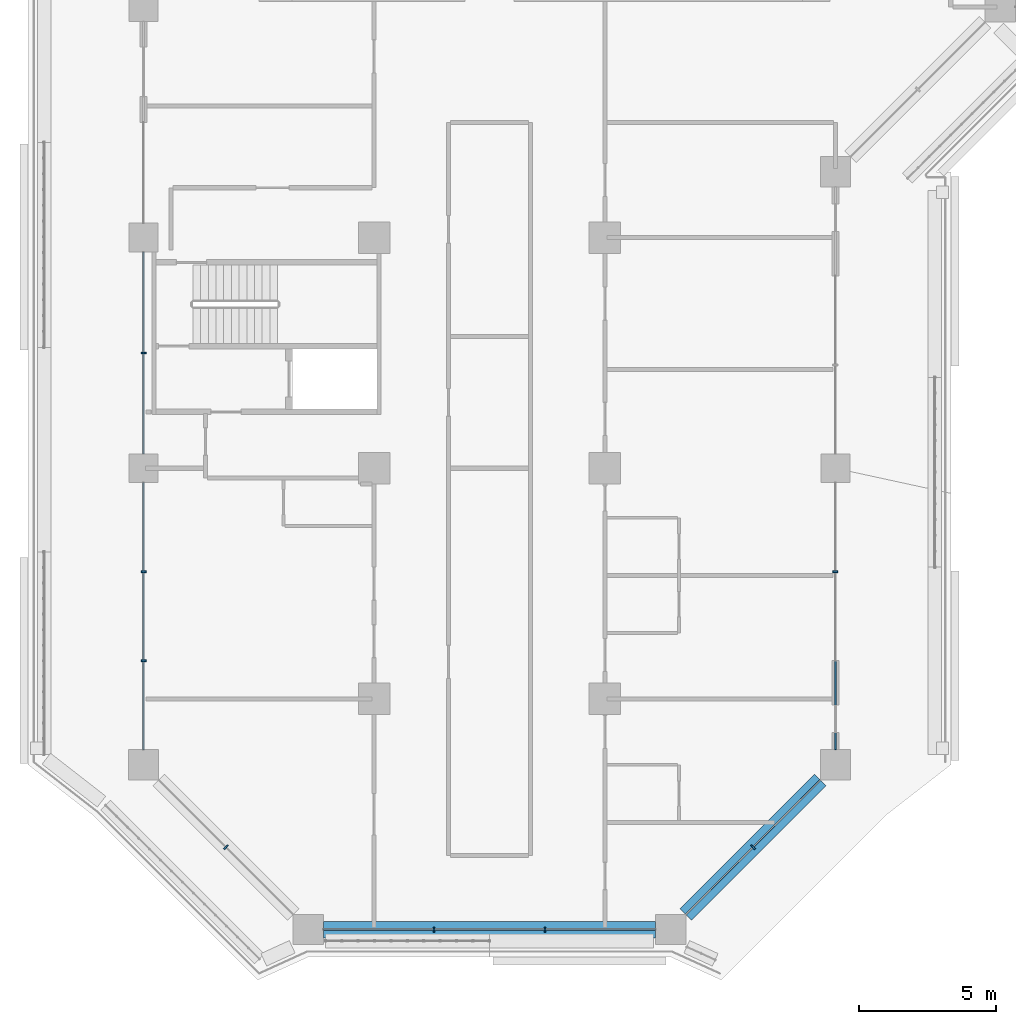
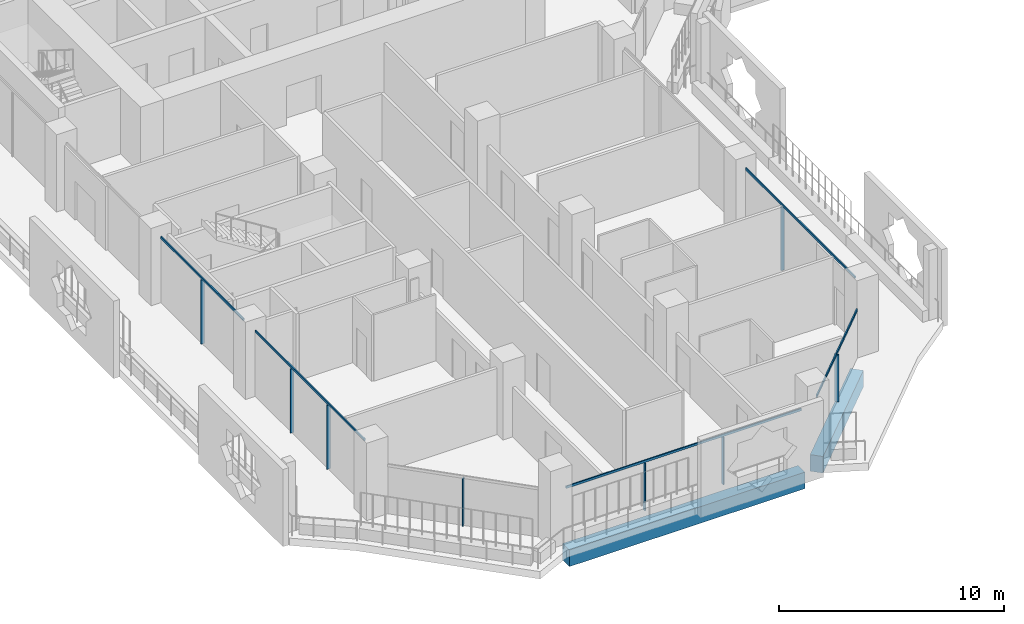
# One storey, part 2 of 25: 13 members, 2 beams, 5 elements without a shape of their own.
"""IFC4 building model written with IfcOpenShell, lengths in metres."""

from ifc_helpers import new_model, si_unit, direction, frame, origin, origin_2d, place, context, subcontext, project, spatial, rectangle, extrude, material, layer, layer_set, material_profile, profile_set, type_object, element, aggregate, save


model = new_model("IFC4")

# Units and contexts
model_context = context("Model", 3, precision=1e-05, world=origin(), true_north=direction((0.0, 1.0)))
body_context = subcontext(model_context, "Body", "Model", "MODEL_VIEW")
ifc_project = project(units=[si_unit("LENGTHUNIT", "METRE"), si_unit("AREAUNIT", "SQUARE_METRE"), si_unit("VOLUMEUNIT", "CUBIC_METRE"), si_unit("PLANEANGLEUNIT", "RADIAN"), si_unit("MASSUNIT", "GRAM", prefix="KILO")], contexts=[model_context])

# Site, building, storey
site_placement = place(None, origin())
site = spatial("IfcSite", under=ifc_project, at=site_placement, CompositionType="ELEMENT")
building_placement = place(site_placement, origin())
building = spatial("IfcBuilding", under=site, at=building_placement, Name="Kawkab Arch Medical Tower", CompositionType="ELEMENT")
storey_placement = place(building_placement, frame((0.0, 0.0, 124.0)))
storey = spatial("IfcBuildingStorey", under=building, at=storey_placement, Name="L28", CompositionType="ELEMENT", Elevation=124.0)

# Curtain wall, members
ifc_material_1 = material(Name="Bronze anodised aluminium curtain wall frame", Category="aluminium")
ifc_layer_1 = layer(ifc_material_1, 0.159912109375)
ifc_layer_set_1 = layer_set([ifc_layer_1], Name="Bronze anodised aluminium curtain wall frame")
curtain_wall_type_1 = type_object("IfcCurtainWallType", Name="CW1 ward curtain wall", PredefinedType="NOTDEFINED", material=ifc_layer_set_1)
placement = place(storey_placement, origin())
curtain_wall_1 = element("IfcCurtainWall", 1, at=placement, inside=storey, type_object=curtain_wall_type_1, Name="CW1 Ward curtain wall R01", PredefinedType="NOTDEFINED")
ifc_material_2 = material(Name="Bronze anodised aluminium curtain wall frame", Category="aluminium")
ifc_material_profile_1 = material_profile(ifc_material_2, rectangle(XDim=0.179931640625, YDim=0.06005859375, at=origin_2d()), Name="AL 60x180")
ifc_profile_set_1 = profile_set([ifc_material_profile_1], Name="Bronze anodised aluminium curtain wall frame")
member_type_1 = type_object("IfcMemberType", Name="CW1 mullion 60 x 180", PredefinedType="MULLION", material=ifc_profile_set_1)
member_1_placement = place(storey_placement, frame((0.0, -37.800048828125, 0.0), z_axis=(0.0, 0.0, 1.0), x_axis=(1.0, 0.0, 0.0)))
member_1 = element("IfcMember", 2, at=member_1_placement, type_object=member_type_1, Name="CW1 mullion 5.1", PredefinedType="MULLION", context=body_context, shape_type="SweptSolid", body=[
    extrude(rectangle(XDim=0.179931640625, YDim=0.06005859375, at=origin_2d()), origin(), (0.0, 0.0, 1.0), 3.47998046875),
])
member_2_placement = place(storey_placement, frame((0.0, -45.7666015625, 0.0), z_axis=(0.0, 0.0, 1.0), x_axis=(1.0, 0.0, 0.0)))
member_2 = element("IfcMember", 3, at=member_2_placement, type_object=member_type_1, Name="CW1 mullion 6.1", PredefinedType="MULLION", context=body_context, shape_type="SweptSolid", body=[
    extrude(rectangle(XDim=0.179931640625, YDim=0.06005859375, at=origin_2d()), origin(), (0.0, 0.0, 1.0), 3.47998046875),
])
member_3_placement = place(storey_placement, frame((0.0, -49.00830078125, 0.0), z_axis=(0.0, 0.0, 1.0), x_axis=(1.0, 0.0, 0.0)))
member_3 = element("IfcMember", 4, at=member_3_placement, type_object=member_type_1, Name="CW1 mullion 6.2", PredefinedType="MULLION", context=body_context, shape_type="SweptSolid", body=[
    extrude(rectangle(XDim=0.179931640625, YDim=0.06005859375, at=origin_2d()), origin(), (0.0, 0.0, 1.0), 3.47998046875),
])

curtain_wall_2 = element("IfcCurtainWall", 5, at=placement, inside=storey, type_object=curtain_wall_type_1, Name="CW1 Ward curtain wall R03", PredefinedType="NOTDEFINED")
member_4_placement = place(storey_placement, frame((10.583251953125, -58.800048828125, 0.0), z_axis=(0.0, 0.0, 1.0), x_axis=(0.0, 1.0, 0.0)))
member_4 = element("IfcMember", 6, at=member_4_placement, type_object=member_type_1, Name="CW1 mullion 1.1", PredefinedType="MULLION", context=body_context, shape_type="SweptSolid", body=[
    extrude(rectangle(XDim=0.179931640625, YDim=0.06005859375, at=origin_2d()), origin(), (0.0, 0.0, 1.0), 2.580078125),
])
member_5_placement = place(storey_placement, frame((14.61669921875, -58.800048828125, 0.0), z_axis=(0.0, 0.0, 1.0), x_axis=(0.0, 1.0, 0.0)))
member_5 = element("IfcMember", 7, at=member_5_placement, type_object=member_type_1, Name="CW1 mullion 1.2", PredefinedType="MULLION", context=body_context, shape_type="SweptSolid", body=[
    extrude(rectangle(XDim=0.179931640625, YDim=0.06005859375, at=origin_2d()), origin(), (0.0, 0.0, 1.0), 2.580078125),
])

# Curtain wall, member
curtain_wall_3 = element("IfcCurtainWall", 8, at=placement, inside=storey, type_object=curtain_wall_type_1, Name="CW1 Ward curtain wall R05", PredefinedType="NOTDEFINED")
member_6_placement = place(storey_placement, frame((25.199951171875, -45.7666015625, 0.0), z_axis=(0.0, 0.0, 1.0), x_axis=(-1.0, 0.0, 0.0)))
member_6 = element("IfcMember", 9, at=member_6_placement, type_object=member_type_1, Name="CW1 mullion 1.2", PredefinedType="MULLION", context=body_context, shape_type="SweptSolid", body=[
    extrude(rectangle(XDim=0.179931640625, YDim=0.06005859375, at=origin_2d()), origin(), (0.0, 0.0, 1.0), 3.47998046875),
])

# Member
ifc_material_3 = material(Name="Bronze anodised aluminium curtain wall frame", Category="aluminium")
ifc_material_profile_2 = material_profile(ifc_material_3, rectangle(XDim=0.06005859375, YDim=0.1201171875, at=origin_2d()), Name="AL 60x120")
ifc_profile_set_2 = profile_set([ifc_material_profile_2], Name="Bronze anodised aluminium curtain wall frame")
member_type_2 = type_object("IfcMemberType", Name="CW1 transom 120 x 60", PredefinedType="USERDEFINED", material=ifc_profile_set_2)
member_7_placement = place(storey_placement, frame((0.0, -34.125, 3.5400390625), z_axis=(0.0, -1.0, 0.0), x_axis=(1.0, 0.0, 0.0)))
member_7 = element("IfcMember", 10, at=member_7_placement, type_object=member_type_2, Name="CW1 transom 5", ObjectType="TRANSOM", PredefinedType="USERDEFINED", context=body_context, shape_type="SweptSolid", body=[
    extrude(rectangle(XDim=0.06005859375, YDim=0.1201171875, at=origin_2d()), origin(), (0.0, 0.0, 1.0), 7.35009765625),
])

member_8_placement = place(storey_placement, frame((0.0, -42.52490234375, 3.5400390625), z_axis=(0.0, -1.0, 0.0), x_axis=(1.0, 0.0, 0.0)))
member_8 = element("IfcMember", 11, at=member_8_placement, type_object=member_type_2, Name="CW1 transom 6", ObjectType="TRANSOM", PredefinedType="USERDEFINED", context=body_context, shape_type="SweptSolid", body=[
    extrude(rectangle(XDim=0.06005859375, YDim=0.1201171875, at=origin_2d()), origin(), (0.0, 0.0, 1.0), 9.72509765625),
])

aggregate(curtain_wall_1, [member_7, member_1, member_8, member_2, member_3])

member_9_placement = place(storey_placement, frame((6.550048828125, -58.800048828125, 2.639892578125), z_axis=(1.0, 0.0, 0.0), x_axis=(0.0, 1.0, 0.0)))
member_9 = element("IfcMember", 12, at=member_9_placement, type_object=member_type_2, Name="CW1 transom 1", ObjectType="TRANSOM", PredefinedType="USERDEFINED", context=body_context, shape_type="SweptSolid", body=[
    extrude(rectangle(XDim=0.06005859375, YDim=0.1201171875, at=origin_2d()), origin(), (0.0, 0.0, 1.0), 12.099853515625),
])

aggregate(curtain_wall_2, [member_9, member_4, member_5])

member_10_placement = place(storey_placement, frame((25.199951171875, -52.25, 3.5400390625), z_axis=(0.0, 1.0, 0.0), x_axis=(-1.0, 0.0, 0.0)))
member_10 = element("IfcMember", 13, at=member_10_placement, type_object=member_type_2, Name="CW1 transom 1", ObjectType="TRANSOM", PredefinedType="USERDEFINED", context=body_context, shape_type="SweptSolid", body=[
    extrude(rectangle(XDim=0.06005859375, YDim=0.1201171875, at=origin_2d()), origin(), (0.0, 0.0, 1.0), 9.72509765625),
])

aggregate(curtain_wall_3, [member_10, member_6])

# Curtain wall, member
ifc_material_4 = material(Name="Bronze anodised aluminium curtain wall frame", Category="aluminium")
ifc_layer_2 = layer(ifc_material_4, 0.159912109375)
ifc_layer_set_2 = layer_set([ifc_layer_2], Name="Bronze anodised aluminium curtain wall frame")
curtain_wall_type_2 = type_object("IfcCurtainWallType", Name="CW2 chamfer curtain wall", PredefinedType="NOTDEFINED", material=ifc_layer_set_2)
curtain_wall_4 = element("IfcCurtainWall", 14, at=placement, inside=storey, type_object=curtain_wall_type_2, Name="CW2 Chamfer curtain wall R02", PredefinedType="NOTDEFINED")
ifc_material_5 = material(Name="Bronze anodised aluminium curtain wall frame", Category="aluminium")
ifc_material_profile_3 = material_profile(ifc_material_5, rectangle(XDim=0.199951171875, YDim=0.06005859375, at=origin_2d()), Name="AL 60x200")
ifc_profile_set_3 = profile_set([ifc_material_profile_3], Name="Bronze anodised aluminium curtain wall frame")
member_type_3 = type_object("IfcMemberType", Name="CW2 mullion 60 x 200", PredefinedType="MULLION", material=ifc_profile_set_3)
member_11_placement = place(storey_placement, frame((3.0, -55.800048828125, 0.0), z_axis=(0.0, 0.0, 1.0), x_axis=(0.707106781187, 0.707106781187, 0.0)))
member_11 = element("IfcMember", 15, at=member_11_placement, type_object=member_type_3, Name="CW2 mullion 1.1", PredefinedType="MULLION", context=body_context, shape_type="SweptSolid", body=[
    extrude(rectangle(XDim=0.199951171875, YDim=0.06005859375, at=origin_2d()), origin(), (0.0, 0.0, 1.0), 2.56005859375),
])
aggregate(curtain_wall_4, [member_11])

# Curtain wall, members
curtain_wall_5 = element("IfcCurtainWall", 16, at=placement, inside=storey, type_object=curtain_wall_type_2, Name="CW2 Chamfer curtain wall R04", PredefinedType="NOTDEFINED")
member_12_placement = place(storey_placement, frame((22.199951171875, -55.800048828125, 0.0), z_axis=(0.0, 0.0, 1.0), x_axis=(-0.707106781187, 0.707106781187, 0.0)))
member_12 = element("IfcMember", 17, at=member_12_placement, type_object=member_type_3, Name="CW2 mullion 1.1", PredefinedType="MULLION", context=body_context, shape_type="SweptSolid", body=[
    extrude(rectangle(XDim=0.199951171875, YDim=0.06005859375, at=origin_2d()), origin(), (0.0, 0.0, 1.0), 2.56005859375),
])
ifc_material_6 = material(Name="Bronze anodised aluminium curtain wall frame", Category="aluminium")
ifc_material_profile_4 = material_profile(ifc_material_6, rectangle(XDim=0.06005859375, YDim=0.139892578125, at=origin_2d()), Name="AL 60x140")
ifc_profile_set_4 = profile_set([ifc_material_profile_4], Name="Bronze anodised aluminium curtain wall frame")
member_type_4 = type_object("IfcMemberType", Name="CW2 transom 140 x 60", PredefinedType="USERDEFINED", material=ifc_profile_set_4)
member_13_placement = place(storey_placement, frame((19.75, -58.25, 2.6298828125), z_axis=(0.707106781187, 0.707106781187, 0.0), x_axis=(-0.707106781187, 0.707106781187, 0.0)))
member_13 = element("IfcMember", 18, at=member_13_placement, type_object=member_type_4, Name="CW2 transom 1", ObjectType="TRANSOM", PredefinedType="USERDEFINED", context=body_context, shape_type="SweptSolid", body=[
    extrude(rectangle(XDim=0.06005859375, YDim=0.139892578125, at=origin_2d()), origin(), (0.0, 0.0, 1.0), 6.929443359375),
])
aggregate(curtain_wall_5, [member_13, member_12])

# Beams
ifc_material_7 = material(Name="Concrete C55/67", Category="concrete")
ifc_material_profile_5 = material_profile(ifc_material_7, rectangle(XDim=0.60009765625, YDim=0.89990234375, at=origin_2d()), Name="RC 600x900")
ifc_profile_set_5 = profile_set([ifc_material_profile_5], Name="Concrete C55/67")
beam_type = type_object("IfcBeamType", Name="RC 600x900 beam C55/67", PredefinedType="BEAM", material=ifc_profile_set_5)
beam_1_placement = place(storey_placement, frame((24.64990234375, -53.35009765625, -1.050048828125), z_axis=(-0.707106781187, -0.707106781187, 0.0), x_axis=(0.707106781187, -0.707106781187, 0.0)))
element("IfcBeam", 19, at=beam_1_placement, inside=storey, type_object=beam_type, Name="Overhang edge beam L28-07", PredefinedType="BEAM", context=body_context, shape_type="SweptSolid", body=[
    extrude(rectangle(XDim=0.60009765625, YDim=0.89990234375, at=origin_2d()), origin(), (0.0, 0.0, 1.0), 6.929443359375),
])
beam_2_placement = place(storey_placement, frame((18.64990234375, -58.800048828125, -1.050048828125), z_axis=(-1.0, 0.0, 0.0), x_axis=(0.0, -1.0, 0.0)))
element("IfcBeam", 20, at=beam_2_placement, inside=storey, type_object=beam_type, Name="Overhang edge beam L28-08", PredefinedType="BEAM", context=body_context, shape_type="SweptSolid", body=[
    extrude(rectangle(XDim=0.60009765625, YDim=0.89990234375, at=origin_2d()), origin(), (0.0, 0.0, 1.0), 12.099853515625),
])

save(model, "model.ifc")
